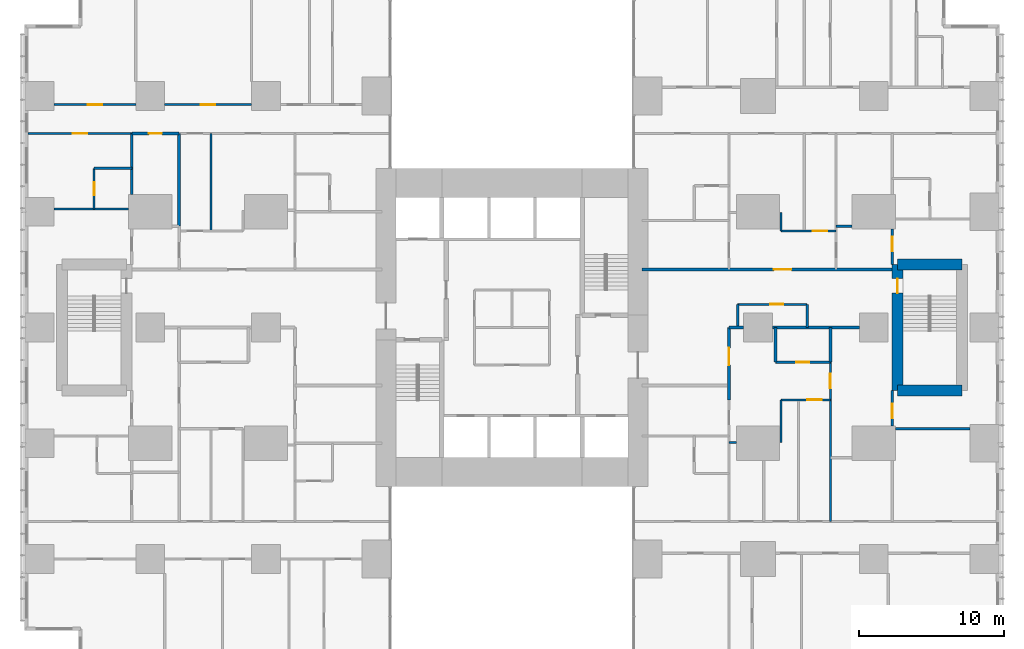
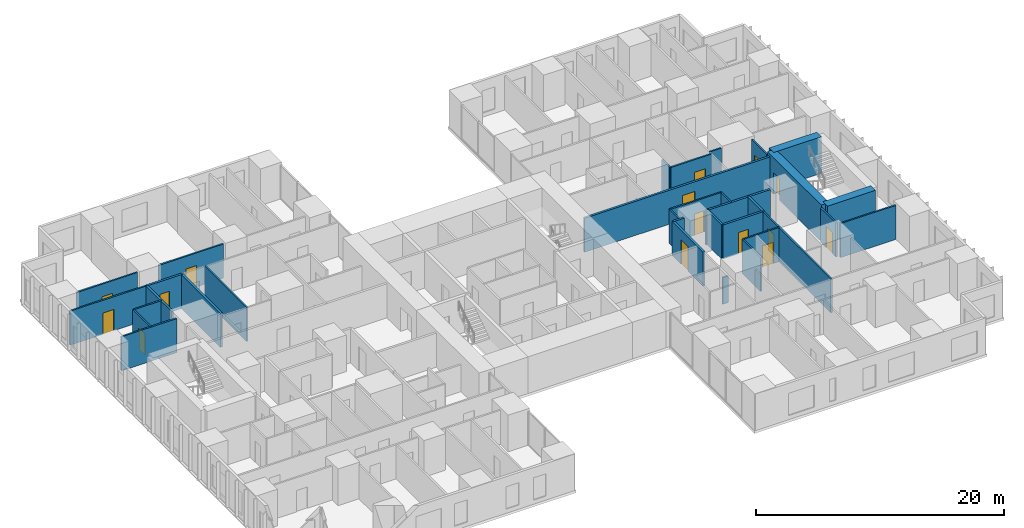
# One storey, part 16 of 20: 33 walls, 15 doors, 15 openings.
"""IFC4 building model written with IfcOpenShell, lengths in metres."""

from ifc_helpers import new_model, si_unit, direction, frame, frame_2d, origin, place, context, subcontext, project, spatial, rectangle, extrude, material, layer, layer_set, type_object, element, fill, save


model = new_model("IFC4")

# Units and contexts
model_context = context("Model", 3, precision=1e-05, world=origin(), true_north=direction((0.0, 1.0)))
body_context = subcontext(model_context, "Body", "Model", "MODEL_VIEW")
ifc_project = project(units=[si_unit("LENGTHUNIT", "METRE"), si_unit("AREAUNIT", "SQUARE_METRE"), si_unit("VOLUMEUNIT", "CUBIC_METRE"), si_unit("PLANEANGLEUNIT", "RADIAN"), si_unit("MASSUNIT", "GRAM", prefix="KILO")], contexts=[model_context])

# Site, building, storey
site_placement = place(None, origin())
site = spatial("IfcSite", under=ifc_project, at=site_placement, CompositionType="ELEMENT")
building_placement = place(site_placement, origin())
building = spatial("IfcBuilding", under=site, at=building_placement, Name="Cleftline Residences", CompositionType="ELEMENT")
storey_placement = place(building_placement, frame((0.0, 0.0, 135.800048828125)))
storey = spatial("IfcBuildingStorey", under=building, at=storey_placement, Name="L35", CompositionType="ELEMENT", Elevation=135.800048828125)

# Wall, opening, door
ifc_material_1 = material(Name="Concrete blockwork, fire rated", Category="masonry")
ifc_layer_1 = layer(ifc_material_1, 0.199951171875)
ifc_layer_set_1 = layer_set([ifc_layer_1], Name="FIRE WALL 200")
wall_type_1 = type_object("IfcWallType", Name="FIRE WALL 200", PredefinedType="PARTITIONING", material=ifc_layer_set_1)
wall_1_placement = place(storey_placement, frame((51.199951171875, 21.60009765625, 0.0), z_axis=(0.0, 0.0, 1.0), x_axis=(1.0, 0.0, 0.0)))
wall_1 = element("IfcWall", 1, at=wall_1_placement, inside=storey, type_object=wall_type_1, Name="Fire separating wall", PredefinedType="PARTITIONING", context=body_context, shape_type="SweptSolid", body=[
    extrude(rectangle(XDim=3.800048828125, YDim=0.199951171875, at=frame_2d((1.89990234375, 0.0))), origin(), (0.0, 0.0, 1.0), 3.349853515625),
])
opening_1_placement = place(wall_1_placement, frame((1.449951171875, 0.0, 0.0)))
opening_1 = element("IfcOpeningElement", 2, at=opening_1_placement, cuts=wall_1, Name="Opening D1F30", PredefinedType="OPENING", context=body_context, shape_type="SweptSolid", body=[
    extrude(rectangle(XDim=0.89990234375, YDim=2.10009765625, at=frame_2d((0.449951171875, 1.050048828125))), frame((0.0, 0.10986328125, 0.0), z_axis=(0.0, -1.0, 0.0), x_axis=(1.0, 0.0, 0.0)), (0.0, 0.0, 1.0), 0.219970703125),
])
ifc_material_2 = material(Name="Timber veneer on solid core", Category="wood")
door_type_1 = type_object("IfcDoorType", Name="DOOR 900X2100 EI 30", OperationType="SINGLE_SWING_LEFT", PredefinedType="DOOR", material=ifc_material_2)
door_1_placement = place(opening_1_placement, origin())
door_1 = element("IfcDoor", 3, at=door_1_placement, inside=storey, type_object=door_type_1, Name="Door to cloakroom wc", OperationType="SINGLE_SWING_LEFT", OverallHeight=2.10009765625, OverallWidth=0.89990234375, PredefinedType="DOOR", context=body_context, shape_type="SweptSolid", body=[
    extrude(rectangle(XDim=0.89990234375, YDim=2.10009765625, at=frame_2d((0.449951171875, 1.050048828125))), frame((0.0, 0.02490234375, 0.0), z_axis=(0.0, -1.0, 0.0), x_axis=(1.0, 0.0, 0.0)), (0.0, 0.0, 1.0), 0.050048828125),
])
fill(opening_1, door_1)

# Walls
wall_2_placement = place(storey_placement, frame((48.0, 24.0, 0.0), z_axis=(0.0, 0.0, 1.0), x_axis=(1.0, 0.0, 0.0)))
element("IfcWall", 4, at=wall_2_placement, inside=storey, type_object=wall_type_1, Name="Fire separating wall", PredefinedType="PARTITIONING", context=body_context, shape_type="SweptSolid", body=[
    extrude(rectangle(XDim=1.0, YDim=0.199951171875, at=frame_2d((0.5, 0.0))), origin(), (0.0, 0.0, 1.0), 3.349853515625),
])
wall_3_placement = place(storey_placement, frame((51.0, 24.0, 0.0), z_axis=(0.0, 0.0, 1.0), x_axis=(1.0, 0.0, 0.0)))
element("IfcWall", 5, at=wall_3_placement, inside=storey, type_object=wall_type_1, Name="Fire separating wall", PredefinedType="PARTITIONING", context=body_context, shape_type="SweptSolid", body=[
    extrude(rectangle(XDim=6.0, YDim=0.199951171875, at=frame_2d((3.0, 0.0))), origin(), (0.0, 0.0, 1.0), 3.349853515625),
])

# Wall, opening, door
wall_4_placement = place(storey_placement, frame((42.0, 28.0, 0.0), z_axis=(0.0, 0.0, 1.0), x_axis=(1.0, 0.0, 0.0)))
wall_4 = element("IfcWall", 6, at=wall_4_placement, inside=storey, type_object=wall_type_1, Name="Fire separating wall", PredefinedType="PARTITIONING", context=body_context, shape_type="SweptSolid", body=[
    extrude(rectangle(XDim=17.27490234375, YDim=0.199951171875, at=frame_2d((8.637451171875, 0.0))), origin(), (0.0, 0.0, 1.0), 3.349853515625),
])
opening_2_placement = place(wall_4_placement, frame((9.10009765625, 0.0, 0.0)))
opening_2 = element("IfcOpeningElement", 7, at=opening_2_placement, cuts=wall_4, Name="Opening D4", PredefinedType="OPENING", context=body_context, shape_type="SweptSolid", body=[
    extrude(rectangle(XDim=1.199951171875, YDim=2.39990234375, at=frame_2d((0.60009765625, 1.199951171875))), frame((0.0, 0.10986328125, 0.0), z_axis=(0.0, -1.0, 0.0), x_axis=(1.0, 0.0, 0.0)), (0.0, 0.0, 1.0), 0.219970703125),
])
ifc_material_3 = material(Name="Timber veneer on solid core", Category="wood")
door_type_2 = type_object("IfcDoorType", Name="APARTMENT ENTRANCE DOOR 1200X2400", OperationType="SINGLE_SWING_RIGHT", PredefinedType="DOOR", material=ifc_material_3)
door_2_placement = place(opening_2_placement, origin())
door_2 = element("IfcDoor", 8, at=door_2_placement, inside=storey, type_object=door_type_2, Name="Door to residence entrance (gallery)", OperationType="SINGLE_SWING_LEFT", OverallHeight=2.39990234375, OverallWidth=1.199951171875, PredefinedType="DOOR", context=body_context, shape_type="SweptSolid", body=[
    extrude(rectangle(XDim=1.199951171875, YDim=2.39990234375, at=frame_2d((0.60009765625, 1.199951171875))), frame((0.0, 0.02490234375, 0.0), z_axis=(0.0, -1.0, 0.0), x_axis=(1.0, 0.0, 0.0)), (0.0, 0.0, 1.0), 0.050048828125),
])
fill(opening_2, door_2)

wall_5_placement = place(storey_placement, frame((6.72509765625, 37.39990234375, 0.0), z_axis=(0.0, 0.0, 1.0), x_axis=(1.0, 0.0, 0.0)))
wall_5 = element("IfcWall", 9, at=wall_5_placement, inside=storey, type_object=wall_type_1, Name="Fire separating wall", PredefinedType="PARTITIONING", context=body_context, shape_type="SweptSolid", body=[
    extrude(rectangle(XDim=3.27490234375, YDim=0.199951171875, at=frame_2d((1.637451171875, 0.0))), origin(), (0.0, 0.0, 1.0), 3.349853515625),
])
opening_3_placement = place(wall_5_placement, frame((1.1875, 0.0, 0.0)))
opening_3 = element("IfcOpeningElement", 10, at=opening_3_placement, cuts=wall_5, Name="Opening D1F30", PredefinedType="OPENING", context=body_context, shape_type="SweptSolid", body=[
    extrude(rectangle(XDim=0.89990234375, YDim=2.10009765625, at=frame_2d((0.449951171875, 1.050048828125))), frame((0.0, 0.10986328125, 0.0), z_axis=(0.0, -1.0, 0.0), x_axis=(1.0, 0.0, 0.0)), (0.0, 0.0, 1.0), 0.219970703125),
])
door_3_placement = place(opening_3_placement, origin())
door_3 = element("IfcDoor", 11, at=door_3_placement, inside=storey, type_object=door_type_1, Name="Door to guest wc", OperationType="SINGLE_SWING_LEFT", OverallHeight=2.10009765625, OverallWidth=0.89990234375, PredefinedType="DOOR", context=body_context, shape_type="SweptSolid", body=[
    extrude(rectangle(XDim=0.89990234375, YDim=2.10009765625, at=frame_2d((0.449951171875, 1.050048828125))), frame((0.0, 0.02490234375, 0.0), z_axis=(0.0, -1.0, 0.0), x_axis=(1.0, 0.0, 0.0)), (0.0, 0.0, 1.0), 0.050048828125),
])
fill(opening_3, door_3)

# Walls
wall_6_placement = place(storey_placement, frame((6.72509765625, 33.199951171875, 0.0), z_axis=(0.0, 0.0, 1.0), x_axis=(0.0, 1.0, 0.0)))
element("IfcWall", 12, at=wall_6_placement, inside=storey, type_object=wall_type_1, Name="Fire separating wall", PredefinedType="PARTITIONING", context=body_context, shape_type="SweptSolid", body=[
    extrude(rectangle(XDim=4.199951171875, YDim=0.199951171875, at=frame_2d((2.10009765625, 0.0))), origin(), (0.0, 0.0, 1.0), 3.349853515625),
])
wall_7_placement = place(storey_placement, frame((10.0, 31.0, 0.0), z_axis=(0.0, 0.0, 1.0), x_axis=(0.0, 1.0, 0.0)))
element("IfcWall", 13, at=wall_7_placement, inside=storey, type_object=wall_type_1, Name="Fire separating wall", PredefinedType="PARTITIONING", context=body_context, shape_type="SweptSolid", body=[
    extrude(rectangle(XDim=6.39990234375, YDim=0.199951171875, at=frame_2d((3.199951171875, 0.0))), origin(), (0.0, 0.0, 1.0), 3.349853515625),
])

# Wall, opening, door
wall_8_placement = place(storey_placement, frame((48.0, 19.0, 0.0), z_axis=(0.0, 0.0, 1.0), x_axis=(0.0, 1.0, 0.0)))
wall_8 = element("IfcWall", 14, at=wall_8_placement, inside=storey, type_object=wall_type_1, Name="Fire separating wall", PredefinedType="PARTITIONING", context=body_context, shape_type="SweptSolid", body=[
    extrude(rectangle(XDim=5.0, YDim=0.199951171875, at=frame_2d((2.5, 0.0))), origin(), (0.0, 0.0, 1.0), 3.349853515625),
])
opening_4_placement = place(wall_8_placement, frame((2.39990234375, 0.0, 0.0)))
opening_4 = element("IfcOpeningElement", 15, at=opening_4_placement, cuts=wall_8, Name="Opening D4", PredefinedType="OPENING", context=body_context, shape_type="SweptSolid", body=[
    extrude(rectangle(XDim=1.199951171875, YDim=2.39990234375, at=frame_2d((0.60009765625, 1.199951171875))), frame((0.0, 0.10986328125, 0.0), z_axis=(0.0, -1.0, 0.0), x_axis=(1.0, 0.0, 0.0)), (0.0, 0.0, 1.0), 0.219970703125),
])
door_4_placement = place(opening_4_placement, origin())
door_4 = element("IfcDoor", 16, at=door_4_placement, inside=storey, type_object=door_type_2, Name="Door to residence entrance foyer", OperationType="SINGLE_SWING_LEFT", OverallHeight=2.39990234375, OverallWidth=1.199951171875, PredefinedType="DOOR", context=body_context, shape_type="SweptSolid", body=[
    extrude(rectangle(XDim=1.199951171875, YDim=2.39990234375, at=frame_2d((0.60009765625, 1.199951171875))), frame((0.0, 0.02490234375, 0.0), z_axis=(0.0, -1.0, 0.0), x_axis=(1.0, 0.0, 0.0)), (0.0, 0.0, 1.0), 0.050048828125),
])
fill(opening_4, door_4)

# Walls
for number, where, z_axis, x_axis, name in (
    (17, (51.199951171875, 21.60009765625, 0.0), (0.0, 0.0, 1.0), (0.0, 1.0, 0.0), "Fire separating wall"),
    (18, (55.0, 21.60009765625, 0.0), (0.0, 0.0, 1.0), (0.0, 1.0, 0.0), "Fire separating wall"),
):
    element("IfcWall", number, at=place(storey_placement, frame(where, z_axis=z_axis, x_axis=x_axis)), inside=storey, type_object=wall_type_1, Name=name, PredefinedType="PARTITIONING", context=body_context, shape_type="SweptSolid", body=[
        extrude(rectangle(XDim=2.39990234375, YDim=0.199951171875, at=frame_2d((1.199951171875, 0.0))), origin(), (0.0, 0.0, 1.0), 3.349853515625),
    ])
ifc_material_4 = material(Name="Gypsum board on steel studs", Category="steel")
ifc_layer_2 = layer(ifc_material_4, 0.14990234375)
ifc_layer_set_2 = layer_set([ifc_layer_2], Name="PARTITION 150")
wall_type_2 = type_object("IfcWallType", Name="PARTITION 150", PredefinedType="PARTITIONING", material=ifc_layer_set_2)
wall_9_placement = place(storey_placement, frame((48.0, 16.050048828125, 0.0), z_axis=(0.0, 0.0, 1.0), x_axis=(1.0, 0.0, 0.0)))
element("IfcWall", 19, at=wall_9_placement, inside=storey, type_object=wall_type_2, Name="Partition", PredefinedType="PARTITIONING", context=body_context, shape_type="SweptSolid", body=[
    extrude(rectangle(XDim=0.5, YDim=0.14990234375, at=frame_2d((0.25, 0.0))), origin(), (0.0, 0.0, 1.0), 2.634033203125),
])
wall_10_placement = place(storey_placement, frame((59.5, 17.0, 0.0), z_axis=(0.0, 0.0, 1.0), x_axis=(1.0, 0.0, 0.0)))
element("IfcWall", 20, at=wall_10_placement, inside=storey, type_object=wall_type_2, Name="Partition", PredefinedType="PARTITIONING", context=body_context, shape_type="SweptSolid", body=[
    extrude(rectangle(XDim=5.14990234375, YDim=0.14990234375, at=frame_2d((2.574951171875, 0.0))), origin(), (0.0, 0.0, 1.0), 3.349853515625),
])

# Wall, opening, door
wall_11_placement = place(storey_placement, frame((51.60009765625, 19.0, 0.0), z_axis=(0.0, 0.0, 1.0), x_axis=(1.0, 0.0, 0.0)))
wall_11 = element("IfcWall", 21, at=wall_11_placement, inside=storey, type_object=wall_type_2, Name="Partition", PredefinedType="PARTITIONING", context=body_context, shape_type="SweptSolid", body=[
    extrude(rectangle(XDim=3.39990234375, YDim=0.14990234375, at=frame_2d((1.699951171875, 0.0))), origin(), (0.0, 0.0, 1.0), 3.349853515625),
])
opening_5_placement = place(wall_11_placement, frame((1.800048828125, 0.0, 0.0)))
opening_5 = element("IfcOpeningElement", 22, at=opening_5_placement, cuts=wall_11, Name="Opening D2", PredefinedType="OPENING", context=body_context, shape_type="SweptSolid", body=[
    extrude(rectangle(XDim=1.0, YDim=2.10009765625, at=frame_2d((0.5, 1.050048828125))), frame((0.0, 0.0849609375, 0.0), z_axis=(0.0, -1.0, 0.0), x_axis=(1.0, 0.0, 0.0)), (0.0, 0.0, 1.0), 0.169921875),
])
ifc_material_5 = material(Name="Timber veneer on solid core", Category="wood")
door_type_3 = type_object("IfcDoorType", Name="DOOR 1000X2100", OperationType="SINGLE_SWING_LEFT", PredefinedType="DOOR", material=ifc_material_5)
door_5_placement = place(opening_5_placement, origin())
door_5 = element("IfcDoor", 23, at=door_5_placement, inside=storey, type_object=door_type_3, Name="Door to residence passage", OperationType="SINGLE_SWING_LEFT", OverallHeight=2.10009765625, OverallWidth=1.0, PredefinedType="DOOR", context=body_context, shape_type="SweptSolid", body=[
    extrude(rectangle(XDim=1.0, YDim=2.10009765625, at=frame_2d((0.5, 1.050048828125))), frame((0.0, 0.02490234375, 0.0), z_axis=(0.0, -1.0, 0.0), x_axis=(1.0, 0.0, 0.0)), (0.0, 0.0, 1.0), 0.050048828125),
])
fill(opening_5, door_5)

wall_12_placement = place(storey_placement, frame((48.60009765625, 25.60009765625, 0.0), z_axis=(0.0, 0.0, 1.0), x_axis=(1.0, 0.0, 0.0)))
wall_12 = element("IfcWall", 24, at=wall_12_placement, inside=storey, type_object=wall_type_2, Name="Partition", PredefinedType="PARTITIONING", context=body_context, shape_type="SweptSolid", body=[
    extrude(rectangle(XDim=4.7998046875, YDim=0.14990234375, at=frame_2d((2.39990234375, 0.0))), origin(), (0.0, 0.0, 1.0), 3.349853515625),
])
opening_6_placement = place(wall_12_placement, frame((2.25, 0.0, 0.0)))
opening_6 = element("IfcOpeningElement", 25, at=opening_6_placement, cuts=wall_12, Name="Opening D1", PredefinedType="OPENING", context=body_context, shape_type="SweptSolid", body=[
    extrude(rectangle(XDim=0.89990234375, YDim=2.10009765625, at=frame_2d((0.449951171875, 1.050048828125))), frame((0.0, 0.0849609375, 0.0), z_axis=(0.0, -1.0, 0.0), x_axis=(1.0, 0.0, 0.0)), (0.0, 0.0, 1.0), 0.169921875),
])
ifc_material_6 = material(Name="Timber veneer on solid core", Category="wood")
door_type_4 = type_object("IfcDoorType", Name="DOOR 900X2100", OperationType="SINGLE_SWING_LEFT", PredefinedType="DOOR", material=ifc_material_6)
door_6_placement = place(opening_6_placement, origin())
door_6 = element("IfcDoor", 26, at=door_6_placement, inside=storey, type_object=door_type_4, Name="Door to bulky waste room", OperationType="SINGLE_SWING_LEFT", OverallHeight=2.10009765625, OverallWidth=0.89990234375, PredefinedType="DOOR", context=body_context, shape_type="SweptSolid", body=[
    extrude(rectangle(XDim=0.89990234375, YDim=2.10009765625, at=frame_2d((0.449951171875, 1.050048828125))), frame((0.0, 0.02490234375, 0.0), z_axis=(0.0, -1.0, 0.0), x_axis=(1.0, 0.0, 0.0)), (0.0, 0.0, 1.0), 0.050048828125),
])
fill(opening_6, door_6)

wall_13_placement = place(storey_placement, frame((51.60009765625, 30.675048828125, 0.0), z_axis=(0.0, 0.0, 1.0), x_axis=(1.0, 0.0, 0.0)))
wall_13 = element("IfcWall", 27, at=wall_13_placement, inside=storey, type_object=wall_type_2, Name="Partition", PredefinedType="PARTITIONING", context=body_context, shape_type="SweptSolid", body=[
    extrude(rectangle(XDim=3.7998046875, YDim=0.14990234375, at=frame_2d((1.89990234375, 0.0))), origin(), (0.0, 0.0, 1.0), 3.349853515625),
])
opening_7_placement = place(wall_13_placement, frame((2.199951171875, 0.0, 0.0)))
opening_7 = element("IfcOpeningElement", 28, at=opening_7_placement, cuts=wall_13, Name="Opening D2", PredefinedType="OPENING", context=body_context, shape_type="SweptSolid", body=[
    extrude(rectangle(XDim=1.0, YDim=2.10009765625, at=frame_2d((0.5, 1.050048828125))), frame((0.0, 0.0849609375, 0.0), z_axis=(0.0, -1.0, 0.0), x_axis=(1.0, 0.0, 0.0)), (0.0, 0.0, 1.0), 0.169921875),
])
door_7_placement = place(opening_7_placement, origin())
door_7 = element("IfcDoor", 29, at=door_7_placement, inside=storey, type_object=door_type_3, Name="Door to residence passage", OperationType="SINGLE_SWING_LEFT", OverallHeight=2.10009765625, OverallWidth=1.0, PredefinedType="DOOR", context=body_context, shape_type="SweptSolid", body=[
    extrude(rectangle(XDim=1.0, YDim=2.10009765625, at=frame_2d((0.5, 1.050048828125))), frame((0.0, 0.02490234375, 0.0), z_axis=(0.0, -1.0, 0.0), x_axis=(1.0, 0.0, 0.0)), (0.0, 0.0, 1.0), 0.050048828125),
])
fill(opening_7, door_7)

# Walls
wall_14_placement = place(storey_placement, frame((55.39990234375, 31.0, 0.0), z_axis=(0.0, 0.0, 1.0), x_axis=(1.0, 0.0, 0.0)))
element("IfcWall", 30, at=wall_14_placement, inside=storey, type_object=wall_type_2, Name="Partition", PredefinedType="PARTITIONING", context=body_context, shape_type="SweptSolid", body=[
    extrude(rectangle(XDim=1.10009765625, YDim=0.14990234375, at=frame_2d((0.550048828125, 0.0))), origin(), (0.0, 0.0, 1.0), 3.349853515625),
])
wall_15_placement = place(storey_placement, frame((1.35009765625, 32.199951171875, 0.0), z_axis=(0.0, 0.0, 1.0), x_axis=(1.0, 0.0, 0.0)))
element("IfcWall", 31, at=wall_15_placement, inside=storey, type_object=wall_type_2, Name="Partition", PredefinedType="PARTITIONING", context=body_context, shape_type="SweptSolid", body=[
    extrude(rectangle(XDim=5.14990234375, YDim=0.14990234375, at=frame_2d((2.574951171875, 0.0))), origin(), (0.0, 0.0, 1.0), 3.349853515625),
])
wall_16_placement = place(storey_placement, frame((4.125, 35.0, 0.0), z_axis=(0.0, 0.0, 1.0), x_axis=(1.0, 0.0, 0.0)))
element("IfcWall", 32, at=wall_16_placement, inside=storey, type_object=wall_type_2, Name="Partition", PredefinedType="PARTITIONING", context=body_context, shape_type="SweptSolid", body=[
    extrude(rectangle(XDim=2.60009765625, YDim=0.14990234375, at=frame_2d((1.300048828125, 0.0))), origin(), (0.0, 0.0, 1.0), 3.349853515625),
])

# Wall, opening, door
wall_17_placement = place(storey_placement, frame((-0.449951171875, 37.39990234375, 0.0), z_axis=(0.0, 0.0, 1.0), x_axis=(1.0, 0.0, 0.0)))
wall_17 = element("IfcWall", 33, at=wall_17_placement, inside=storey, type_object=wall_type_2, Name="Partition", PredefinedType="PARTITIONING", context=body_context, shape_type="SweptSolid", body=[
    extrude(rectangle(XDim=7.175048828125, YDim=0.14990234375, at=frame_2d((3.58740234375, 0.0))), origin(), (0.0, 0.0, 1.0), 3.349853515625),
])
opening_8_placement = place(wall_17_placement, frame((3.08740234375, 0.0, 0.0)))
opening_8 = element("IfcOpeningElement", 34, at=opening_8_placement, cuts=wall_17, Name="Opening D2", PredefinedType="OPENING", context=body_context, shape_type="SweptSolid", body=[
    extrude(rectangle(XDim=1.0, YDim=2.10009765625, at=frame_2d((0.5, 1.050048828125))), frame((0.0, 0.0849609375, 0.0), z_axis=(0.0, -1.0, 0.0), x_axis=(1.0, 0.0, 0.0)), (0.0, 0.0, 1.0), 0.169921875),
])
door_8_placement = place(opening_8_placement, origin())
door_8 = element("IfcDoor", 35, at=door_8_placement, inside=storey, type_object=door_type_3, Name="Door to master bedroom", OperationType="SINGLE_SWING_LEFT", OverallHeight=2.10009765625, OverallWidth=1.0, PredefinedType="DOOR", context=body_context, shape_type="SweptSolid", body=[
    extrude(rectangle(XDim=1.0, YDim=2.10009765625, at=frame_2d((0.5, 1.050048828125))), frame((0.0, 0.02490234375, 0.0), z_axis=(0.0, -1.0, 0.0), x_axis=(1.0, 0.0, 0.0)), (0.0, 0.0, 1.0), 0.050048828125),
])
fill(opening_8, door_8)

wall_18_placement = place(storey_placement, frame((1.35009765625, 39.39990234375, 0.0), z_axis=(0.0, 0.0, 1.0), x_axis=(1.0, 0.0, 0.0)))
wall_18 = element("IfcWall", 36, at=wall_18_placement, inside=storey, type_object=wall_type_2, Name="Partition", PredefinedType="PARTITIONING", context=body_context, shape_type="SweptSolid", body=[
    extrude(rectangle(XDim=5.64990234375, YDim=0.14990234375, at=frame_2d((2.824951171875, 0.0))), origin(), (0.0, 0.0, 1.0), 3.349853515625),
])
opening_9_placement = place(wall_18_placement, frame((2.324951171875, 0.0, 0.0)))
opening_9 = element("IfcOpeningElement", 37, at=opening_9_placement, cuts=wall_18, Name="Opening D2", PredefinedType="OPENING", context=body_context, shape_type="SweptSolid", body=[
    extrude(rectangle(XDim=1.0, YDim=2.10009765625, at=frame_2d((0.5, 1.050048828125))), frame((0.0, 0.0849609375, 0.0), z_axis=(0.0, -1.0, 0.0), x_axis=(1.0, 0.0, 0.0)), (0.0, 0.0, 1.0), 0.169921875),
])
door_9_placement = place(opening_9_placement, origin())
door_9 = element("IfcDoor", 38, at=door_9_placement, inside=storey, type_object=door_type_3, Name="Door to winter garden", OperationType="SINGLE_SWING_LEFT", OverallHeight=2.10009765625, OverallWidth=1.0, PredefinedType="DOOR", context=body_context, shape_type="SweptSolid", body=[
    extrude(rectangle(XDim=1.0, YDim=2.10009765625, at=frame_2d((0.5, 1.050048828125))), frame((0.0, 0.02490234375, 0.0), z_axis=(0.0, -1.0, 0.0), x_axis=(1.0, 0.0, 0.0)), (0.0, 0.0, 1.0), 0.050048828125),
])
fill(opening_9, door_9)

wall_19_placement = place(storey_placement, frame((9.0, 39.39990234375, 0.0), z_axis=(0.0, 0.0, 1.0), x_axis=(1.0, 0.0, 0.0)))
wall_19 = element("IfcWall", 39, at=wall_19_placement, inside=storey, type_object=wall_type_2, Name="Partition", PredefinedType="PARTITIONING", context=body_context, shape_type="SweptSolid", body=[
    extrude(rectangle(XDim=6.0, YDim=0.14990234375, at=frame_2d((3.0, 0.0))), origin(), (0.0, 0.0, 1.0), 3.349853515625),
])
opening_10_placement = place(wall_19_placement, frame((2.5, 0.0, 0.0)))
opening_10 = element("IfcOpeningElement", 40, at=opening_10_placement, cuts=wall_19, Name="Opening D2", PredefinedType="OPENING", context=body_context, shape_type="SweptSolid", body=[
    extrude(rectangle(XDim=1.0, YDim=2.10009765625, at=frame_2d((0.5, 1.050048828125))), frame((0.0, 0.0849609375, 0.0), z_axis=(0.0, -1.0, 0.0), x_axis=(1.0, 0.0, 0.0)), (0.0, 0.0, 1.0), 0.169921875),
])
door_10_placement = place(opening_10_placement, origin())
door_10 = element("IfcDoor", 41, at=door_10_placement, inside=storey, type_object=door_type_3, Name="Door to living room", OperationType="SINGLE_SWING_LEFT", OverallHeight=2.10009765625, OverallWidth=1.0, PredefinedType="DOOR", context=body_context, shape_type="SweptSolid", body=[
    extrude(rectangle(XDim=1.0, YDim=2.10009765625, at=frame_2d((0.5, 1.050048828125))), frame((0.0, 0.02490234375, 0.0), z_axis=(0.0, -1.0, 0.0), x_axis=(1.0, 0.0, 0.0)), (0.0, 0.0, 1.0), 0.050048828125),
])
fill(opening_10, door_10)

wall_20_placement = place(storey_placement, frame((4.125, 32.199951171875, 0.0), z_axis=(0.0, 0.0, 1.0), x_axis=(0.0, 1.0, 0.0)))
wall_20 = element("IfcWall", 42, at=wall_20_placement, inside=storey, type_object=wall_type_2, Name="Partition", PredefinedType="PARTITIONING", context=body_context, shape_type="SweptSolid", body=[
    extrude(rectangle(XDim=2.800048828125, YDim=0.14990234375, at=frame_2d((1.39990234375, 0.0))), origin(), (0.0, 0.0, 1.0), 3.349853515625),
])
opening_11_placement = place(wall_20_placement, frame((0.949951171875, 0.0, 0.0)))
opening_11 = element("IfcOpeningElement", 43, at=opening_11_placement, cuts=wall_20, Name="Opening D1", PredefinedType="OPENING", context=body_context, shape_type="SweptSolid", body=[
    extrude(rectangle(XDim=0.89990234375, YDim=2.10009765625, at=frame_2d((0.449951171875, 1.050048828125))), frame((0.0, 0.0849609375, 0.0), z_axis=(0.0, -1.0, 0.0), x_axis=(1.0, 0.0, 0.0)), (0.0, 0.0, 1.0), 0.169921875),
])
door_11_placement = place(opening_11_placement, origin())
door_11 = element("IfcDoor", 44, at=door_11_placement, inside=storey, type_object=door_type_4, Name="Door to master bathroom", OperationType="SINGLE_SWING_LEFT", OverallHeight=2.10009765625, OverallWidth=0.89990234375, PredefinedType="DOOR", context=body_context, shape_type="SweptSolid", body=[
    extrude(rectangle(XDim=0.89990234375, YDim=2.10009765625, at=frame_2d((0.449951171875, 1.050048828125))), frame((0.0, 0.02490234375, 0.0), z_axis=(0.0, -1.0, 0.0), x_axis=(1.0, 0.0, 0.0)), (0.0, 0.0, 1.0), 0.050048828125),
])
fill(opening_11, door_11)

# Walls
wall_21_placement = place(storey_placement, frame((12.199951171875, 30.675048828125, 0.0), z_axis=(0.0, 0.0, 1.0), x_axis=(0.0, 1.0, 0.0)))
element("IfcWall", 45, at=wall_21_placement, inside=storey, type_object=wall_type_2, Name="Partition", PredefinedType="PARTITIONING", context=body_context, shape_type="SweptSolid", body=[
    extrude(rectangle(XDim=6.724853515625, YDim=0.14990234375, at=frame_2d((3.3623046875, 0.0))), origin(), (0.0, 0.0, 1.0), 3.349853515625),
])
wall_22_placement = place(storey_placement, frame((48.60009765625, 24.0, 0.0), z_axis=(0.0, 0.0, 1.0), x_axis=(0.0, 1.0, 0.0)))
element("IfcWall", 46, at=wall_22_placement, inside=storey, type_object=wall_type_2, Name="Partition", PredefinedType="PARTITIONING", context=body_context, shape_type="SweptSolid", body=[
    extrude(rectangle(XDim=1.60009765625, YDim=0.14990234375, at=frame_2d((0.800048828125, 0.0))), origin(), (0.0, 0.0, 1.0), 3.349853515625),
])
wall_23_placement = place(storey_placement, frame((51.60009765625, 16.050048828125, 0.0), z_axis=(0.0, 0.0, 1.0), x_axis=(0.0, 1.0, 0.0)))
element("IfcWall", 47, at=wall_23_placement, inside=storey, type_object=wall_type_2, Name="Partition", PredefinedType="PARTITIONING", context=body_context, shape_type="SweptSolid", body=[
    extrude(rectangle(XDim=2.949951171875, YDim=0.14990234375, at=frame_2d((1.47509765625, 0.0))), origin(), (0.0, 0.0, 1.0), 3.349853515625),
])
wall_24_placement = place(storey_placement, frame((51.60009765625, 30.675048828125, 0.0), z_axis=(0.0, 0.0, 1.0), x_axis=(0.0, 1.0, 0.0)))
element("IfcWall", 48, at=wall_24_placement, inside=storey, type_object=wall_type_2, Name="Partition", PredefinedType="PARTITIONING", context=body_context, shape_type="SweptSolid", body=[
    extrude(rectangle(XDim=1.27490234375, YDim=0.14990234375, at=frame_2d((0.637451171875, 0.0))), origin(), (0.0, 0.0, 1.0), 3.349853515625),
])
wall_25_placement = place(storey_placement, frame((53.39990234375, 24.0, 0.0), z_axis=(0.0, 0.0, 1.0), x_axis=(0.0, 1.0, 0.0)))
element("IfcWall", 49, at=wall_25_placement, inside=storey, type_object=wall_type_2, Name="Partition", PredefinedType="PARTITIONING", context=body_context, shape_type="SweptSolid", body=[
    extrude(rectangle(XDim=1.60009765625, YDim=0.14990234375, at=frame_2d((0.800048828125, 0.0))), origin(), (0.0, 0.0, 1.0), 3.349853515625),
])

# Wall, opening, door
wall_26_placement = place(storey_placement, frame((55.0, 10.60009765625, 0.0), z_axis=(0.0, 0.0, 1.0), x_axis=(0.0, 1.0, 0.0)))
wall_26 = element("IfcWall", 50, at=wall_26_placement, inside=storey, type_object=wall_type_2, Name="Partition", PredefinedType="PARTITIONING", context=body_context, shape_type="SweptSolid", body=[
    extrude(rectangle(XDim=11.0, YDim=0.14990234375, at=frame_2d((5.5, 0.0))), origin(), (0.0, 0.0, 1.0), 3.349853515625),
])
opening_12_placement = place(wall_26_placement, frame((9.199951171875, 0.0, 0.0)))
opening_12 = element("IfcOpeningElement", 51, at=opening_12_placement, cuts=wall_26, Name="Opening D2F30", PredefinedType="OPENING", context=body_context, shape_type="SweptSolid", body=[
    extrude(rectangle(XDim=1.0, YDim=2.10009765625, at=frame_2d((0.5, 1.050048828125))), frame((0.0, 0.0849609375, 0.0), z_axis=(0.0, -1.0, 0.0), x_axis=(1.0, 0.0, 0.0)), (0.0, 0.0, 1.0), 0.169921875),
])
ifc_material_7 = material(Name="Timber veneer on solid core", Category="wood")
door_type_5 = type_object("IfcDoorType", Name="DOOR 1000X2100 EI 30", OperationType="SINGLE_SWING_LEFT", PredefinedType="DOOR", material=ifc_material_7)
door_12_placement = place(opening_12_placement, origin())
door_12 = element("IfcDoor", 52, at=door_12_placement, inside=storey, type_object=door_type_5, Name="Door to residence lobby", OperationType="SINGLE_SWING_LEFT", OverallHeight=2.10009765625, OverallWidth=1.0, PredefinedType="DOOR", context=body_context, shape_type="SweptSolid", body=[
    extrude(rectangle(XDim=1.0, YDim=2.10009765625, at=frame_2d((0.5, 1.050048828125))), frame((0.0, 0.02490234375, 0.0), z_axis=(0.0, -1.0, 0.0), x_axis=(1.0, 0.0, 0.0)), (0.0, 0.0, 1.0), 0.050048828125),
])
fill(opening_12, door_12)

wall_27_placement = place(storey_placement, frame((59.27490234375, 17.199951171875, 0.0), z_axis=(0.0, 0.0, 1.0), x_axis=(0.0, 1.0, 0.0)))
wall_27 = element("IfcWall", 53, at=wall_27_placement, inside=storey, type_object=wall_type_2, Name="Partition", PredefinedType="PARTITIONING", context=body_context, shape_type="SweptSolid", body=[
    extrude(rectangle(XDim=2.449951171875, YDim=0.14990234375, at=frame_2d((1.22509765625, 0.0))), origin(), (0.0, 0.0, 1.0), 3.349853515625),
])
opening_13_placement = place(wall_27_placement, frame((0.53759765625, 0.0, 0.0)))
opening_13 = element("IfcOpeningElement", 54, at=opening_13_placement, cuts=wall_27, Name="Opening D2", PredefinedType="OPENING", context=body_context, shape_type="SweptSolid", body=[
    extrude(rectangle(XDim=1.0, YDim=2.10009765625, at=frame_2d((0.5, 1.050048828125))), frame((0.0, 0.0849609375, 0.0), z_axis=(0.0, -1.0, 0.0), x_axis=(1.0, 0.0, 0.0)), (0.0, 0.0, 1.0), 0.169921875),
])
door_13_placement = place(opening_13_placement, origin())
door_13 = element("IfcDoor", 55, at=door_13_placement, inside=storey, type_object=door_type_3, Name="Door to altar room", OperationType="SINGLE_SWING_RIGHT", OverallHeight=2.10009765625, OverallWidth=1.0, PredefinedType="DOOR", context=body_context, shape_type="SweptSolid", body=[
    extrude(rectangle(XDim=1.0, YDim=2.10009765625, at=frame_2d((0.5, 1.050048828125))), frame((0.0, 0.02490234375, 0.0), z_axis=(0.0, -1.0, 0.0), x_axis=(1.0, 0.0, 0.0)), (0.0, 0.0, 1.0), 0.050048828125),
])
fill(opening_13, door_13)

wall_28_placement = place(storey_placement, frame((59.27490234375, 28.35009765625, 0.0), z_axis=(0.0, 0.0, 1.0), x_axis=(0.0, 1.0, 0.0)))
wall_28 = element("IfcWall", 56, at=wall_28_placement, inside=storey, type_object=wall_type_2, Name="Partition", PredefinedType="PARTITIONING", context=body_context, shape_type="SweptSolid", body=[
    extrude(rectangle(XDim=2.449951171875, YDim=0.14990234375, at=frame_2d((1.22509765625, 0.0))), origin(), (0.0, 0.0, 1.0), 3.349853515625),
])
opening_14_placement = place(wall_28_placement, frame((0.91259765625, 0.0, 0.0)))
opening_14 = element("IfcOpeningElement", 57, at=opening_14_placement, cuts=wall_28, Name="Opening D2", PredefinedType="OPENING", context=body_context, shape_type="SweptSolid", body=[
    extrude(rectangle(XDim=1.0, YDim=2.10009765625, at=frame_2d((0.5, 1.050048828125))), frame((0.0, 0.0849609375, 0.0), z_axis=(0.0, -1.0, 0.0), x_axis=(1.0, 0.0, 0.0)), (0.0, 0.0, 1.0), 0.169921875),
])
door_14_placement = place(opening_14_placement, origin())
door_14 = element("IfcDoor", 58, at=door_14_placement, inside=storey, type_object=door_type_3, Name="Door to winter garden", OperationType="SINGLE_SWING_LEFT", OverallHeight=2.10009765625, OverallWidth=1.0, PredefinedType="DOOR", context=body_context, shape_type="SweptSolid", body=[
    extrude(rectangle(XDim=1.0, YDim=2.10009765625, at=frame_2d((0.5, 1.050048828125))), frame((0.0, 0.02490234375, 0.0), z_axis=(0.0, -1.0, 0.0), x_axis=(1.0, 0.0, 0.0)), (0.0, 0.0, 1.0), 0.050048828125),
])
fill(opening_14, door_14)

# Walls
ifc_material_8 = material(Name="Concrete B70", Category="concrete")
ifc_layer_3 = layer(ifc_material_8, 0.75)
ifc_layer_set_3 = layer_set([ifc_layer_3], Name="SHEAR WALL 750")
wall_type_3 = type_object("IfcWallType", Name="SHEAR WALL 750", PredefinedType="SHEAR", material=ifc_layer_set_3)
for number, where, z_axis, x_axis, name in (
    (59, (59.64990234375, 19.64990234375, 0.0), (0.0, 0.0, 1.0), (1.0, 0.0, 0.0), "Wing shear wall"),
    (60, (64.10009765625, 28.35009765625, 0.0), (0.0, 0.0, 1.0), (-1.0, 0.0, 0.0), "Wing shear wall"),
):
    element("IfcWall", number, at=place(storey_placement, frame(where, z_axis=z_axis, x_axis=x_axis)), inside=storey, type_object=wall_type_3, Name=name, PredefinedType="SHEAR", context=body_context, shape_type="SweptSolid", body=[
        extrude(rectangle(XDim=4.4501953125, YDim=0.75, at=frame_2d((2.22509765625, 0.0))), origin(), (0.0, 0.0, 1.0), 3.599853515625),
    ])

# Wall, opening, door
wall_29_placement = place(storey_placement, frame((59.64990234375, 28.35009765625, 0.0), z_axis=(0.0, 0.0, 1.0), x_axis=(0.0, -1.0, 0.0)))
wall_29 = element("IfcWall", 61, at=wall_29_placement, inside=storey, type_object=wall_type_3, Name="Wing shear wall", PredefinedType="SHEAR", context=body_context, shape_type="SweptSolid", body=[
    extrude(rectangle(XDim=8.7001953125, YDim=0.75, at=frame_2d((4.35009765625, 0.0))), origin(), (0.0, 0.0, 1.0), 3.599853515625),
])
opening_15_placement = place(wall_29_placement, frame((0.97509765625, 0.0, 0.0)))
opening_15 = element("IfcOpeningElement", 62, at=opening_15_placement, cuts=wall_29, Name="Opening D5", PredefinedType="OPENING", context=body_context, shape_type="SweptSolid", body=[
    extrude(rectangle(XDim=1.0, YDim=2.10009765625, at=frame_2d((0.5, 1.050048828125))), frame((0.0, 0.385009765625, 0.0), z_axis=(0.0, -1.0, 0.0), x_axis=(1.0, 0.0, 0.0)), (0.0, 0.0, 1.0), 0.77001953125),
])
ifc_material_9 = material(Name="Steel", Category="steel")
door_type_6 = type_object("IfcDoorType", Name="STAIR DOOR 1000X2100", OperationType="SINGLE_SWING_LEFT", PredefinedType="DOOR", material=ifc_material_9)
door_15_placement = place(opening_15_placement, origin())
door_15 = element("IfcDoor", 63, at=door_15_placement, inside=storey, type_object=door_type_6, Name="Stair E door", OperationType="SINGLE_SWING_RIGHT", OverallHeight=2.10009765625, OverallWidth=1.0, PredefinedType="DOOR", context=body_context, shape_type="SweptSolid", body=[
    extrude(rectangle(XDim=1.0, YDim=2.10009765625, at=frame_2d((0.5, 1.050048828125))), frame((0.0, 0.02490234375, 0.0), z_axis=(0.0, -1.0, 0.0), x_axis=(1.0, 0.0, 0.0)), (0.0, 0.0, 1.0), 0.050048828125),
])
fill(opening_15, door_15)

save(model, "model.ifc")
